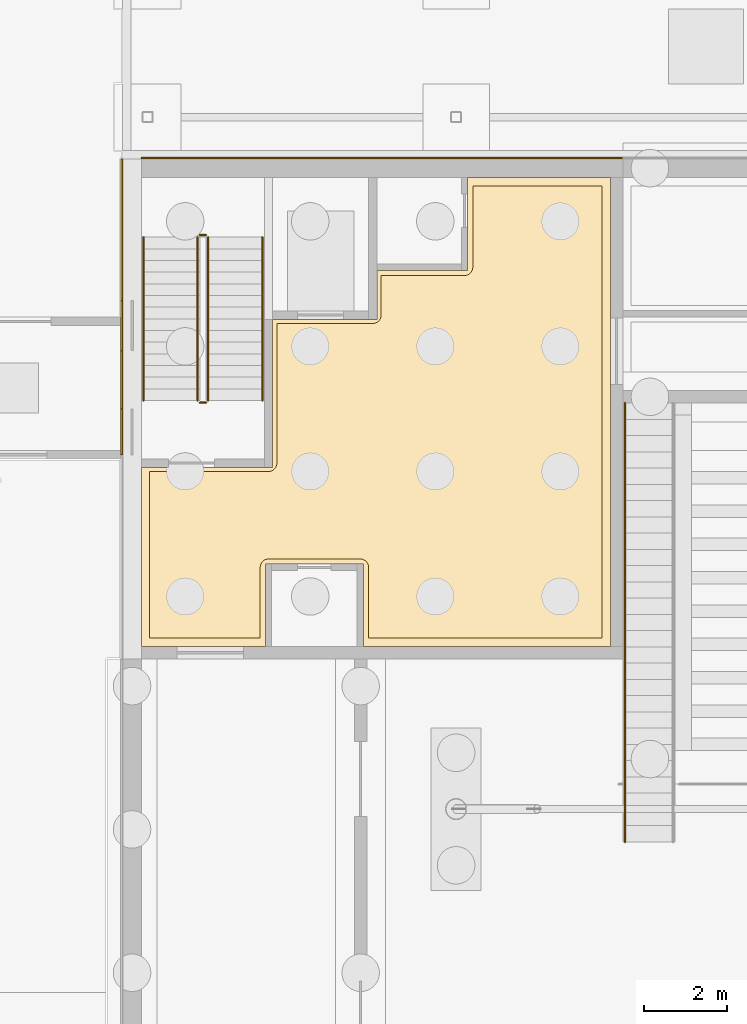
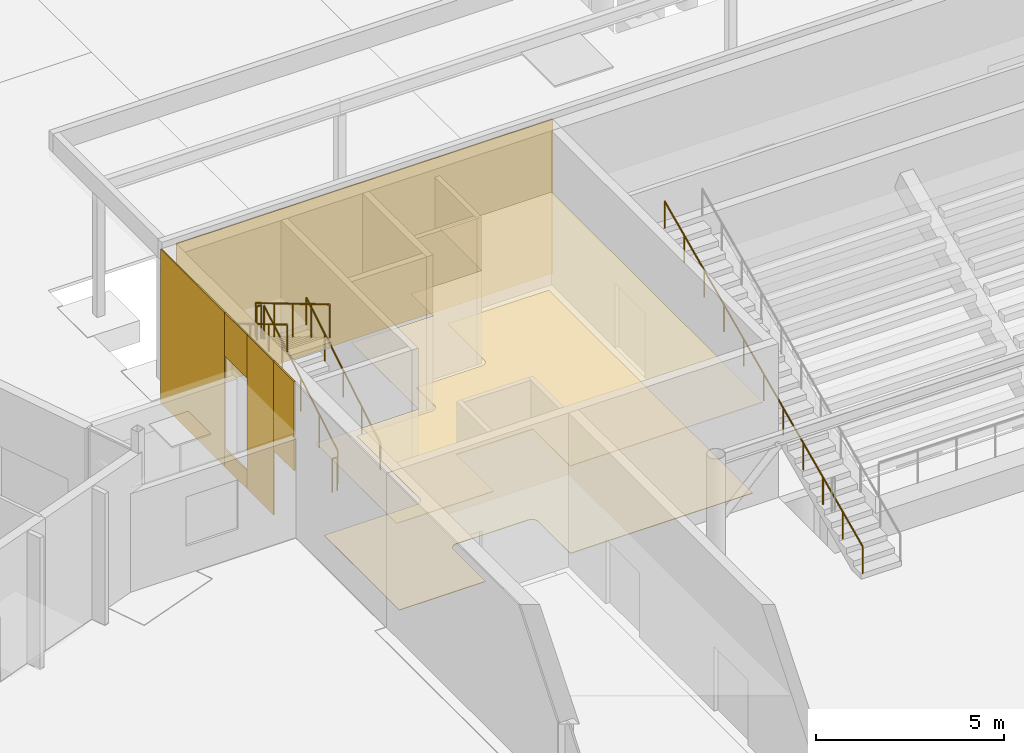
# One storey, part 136 of 157: 8 coverings, 7 railings.
"""IFC4 building model written with IfcOpenShell, lengths in metres."""

from ifc_helpers import new_model, si_unit, direction, frame, origin, origin_2d, place, context, subcontext, project, spatial, polyline, circle, outline, extrude, material, layer, layer_set, type_object, element, save


model = new_model("IFC4")

# Units and contexts
model_context = context("Model", 3, precision=1e-05, world=origin(), true_north=direction((0.0, 1.0)))
body_context = subcontext(model_context, "Body", "Model", "MODEL_VIEW")
ifc_project = project(units=[si_unit("LENGTHUNIT", "METRE"), si_unit("AREAUNIT", "SQUARE_METRE"), si_unit("VOLUMEUNIT", "CUBIC_METRE"), si_unit("PLANEANGLEUNIT", "RADIAN"), si_unit("MASSUNIT", "GRAM", prefix="KILO")], contexts=[model_context])

# Site, building, storey
site_placement = place(None, origin())
site = spatial("IfcSite", under=ifc_project, at=site_placement, CompositionType="ELEMENT")
building_placement = place(site_placement, origin())
building = spatial("IfcBuilding", under=site, at=building_placement, Name="Windward Yard Aquatics Centre", CompositionType="ELEMENT")
storey_placement = place(building_placement, origin())
storey = spatial("IfcBuildingStorey", under=building, at=storey_placement, Name="L00", CompositionType="ELEMENT", Elevation=0.0)

# Covering
ifc_material_1 = material(Name="Polished screed")
ifc_layer_1 = layer(ifc_material_1, 0.0400390625)
ifc_layer_set_1 = layer_set([ifc_layer_1], Name="H Floor Finish Screed 40")
covering_type_1 = type_object("IfcCoveringType", Name="H Floor Finish Screed 40", PredefinedType="FLOORING", material=ifc_layer_set_1)
covering_1_placement = place(storey_placement, origin())
element("IfcCovering", 1, at=covering_1_placement, inside=storey, type_object=covering_type_1, Name="Core Lobby NW floor finish", PredefinedType="FLOORING", context=body_context, shape_type="SweptSolid", body=[
    extrude(outline(polyline([(52.64990234375, 84.5), (52.64990234375, 88.5), (55.5, 88.5), (55.5390625, 88.50390625), (55.55810546875, 88.508544921875), (55.59423828125, 88.523681640625), (55.626953125, 88.54541015625), (55.654541015625, 88.572998046875), (55.676513671875, 88.605712890625), (55.69140625, 88.641845703125), (55.698974609375, 88.680419921875), (55.699951171875, 88.699951171875), (55.699951171875, 92.050048828125), (58.0, 92.050048828125), (58.0390625, 92.0537109375), (58.05810546875, 92.05859375), (58.09423828125, 92.073486328125), (58.111083984375, 92.083740234375), (58.126953125, 92.095458984375), (58.154541015625, 92.123046875), (58.176513671875, 92.15576171875), (58.184814453125, 92.173583984375), (58.19140625, 92.19189453125), (58.198974609375, 92.23046875), (58.199951171875, 93.199951171875), (60.199951171875, 93.199951171875), (60.239013671875, 93.203857421875), (60.258056640625, 93.20849609375), (60.294189453125, 93.2236328125), (60.31103515625, 93.233642578125), (60.34130859375, 93.258544921875), (60.3544921875, 93.273193359375), (60.37646484375, 93.3056640625), (60.391357421875, 93.341796875), (60.39892578125, 93.38037109375), (60.39990234375, 93.39990234375), (60.39990234375, 95.35009765625), (63.5, 95.35009765625), (63.5, 84.5), (57.89990234375, 84.5), (57.89892578125, 86.219482421875), (57.891357421875, 86.258056640625), (57.87646484375, 86.294189453125), (57.8544921875, 86.326904296875), (57.826904296875, 86.3544921875), (57.794189453125, 86.37646484375), (57.758056640625, 86.391357421875), (57.739013671875, 86.396240234375), (57.699951171875, 86.39990234375), (55.5, 86.39990234375), (55.4609375, 86.396240234375), (55.44189453125, 86.391357421875), (55.40576171875, 86.37646484375), (55.373046875, 86.3544921875), (55.345458984375, 86.326904296875), (55.323486328125, 86.294189453125), (55.30859375, 86.258056640625), (55.301025390625, 86.219482421875), (55.300048828125, 86.199951171875), (55.300048828125, 84.5), (52.64990234375, 84.5)])), origin(), (0.0, 0.0, 1.0), 0.02001953125),
])

# Railings
ifc_material_2 = material(Name="Stainless steel 1.4529", Category="steel")
railing_type_1 = type_object("IfcRailingType", Name="H Guard Steel 1100", PredefinedType="GUARDRAIL", material=ifc_material_2)
railing_1_placement = place(storey_placement, frame((54.050048828125, 90.199951171875, 0.166748046875)))
element("IfcRailing", 2, at=railing_1_placement, inside=storey, type_object=railing_type_1, Name="L00 ST3 stair guard 1", PredefinedType="GUARDRAIL", context=body_context, shape_type="SweptSolid", body=[
    extrude(circle(Radius=0.02392578125, at=origin_2d()), frame((0.0, 0.0, 1.076171875), z_axis=(0.0, 0.859310244771, 0.511454693235), x_axis=(-1.0, 0.0, 0.0)), (0.0, 0.0, 1.0), 4.56201171875),
    extrude(circle(Radius=0.02099609375, at=origin_2d()), origin(), (0.0, 0.0, 1.0), 1.052001953125),
    extrude(circle(Radius=0.02099609375, at=origin_2d()), frame((0.0, 0.97998046875, 0.583251953125)), (0.0, 0.0, 1.0), 1.052001953125),
    extrude(circle(Radius=0.02099609375, at=origin_2d()), frame((0.0, 1.9599609375, 1.16650390625)), (0.0, 0.0, 1.0), 1.052001953125),
    extrude(circle(Radius=0.02099609375, at=origin_2d()), frame((0.0, 2.940185546875, 1.75)), (0.0, 0.0, 1.0), 1.052001953125),
    extrude(circle(Radius=0.02099609375, at=origin_2d()), frame((0.0, 3.920166015625, 2.333251953125)), (0.0, 0.0, 1.0), 1.052001953125),
])
railing_2_placement = place(storey_placement, frame((54.0, 94.169921875, 2.5)))
element("IfcRailing", 3, at=railing_2_placement, inside=storey, type_object=railing_type_1, Name="L00 ST3 stair guard 2", PredefinedType="GUARDRAIL", context=body_context, shape_type="SweptSolid", body=[
    extrude(circle(Radius=0.02392578125, at=origin_2d()), frame((0.0, 0.0, 1.076171875), z_axis=(-1.0, 0.0, 0.0), x_axis=(0.0, -1.0, 0.0)), (0.0, 0.0, 1.0), 0.14990234375),
    extrude(circle(Radius=0.02099609375, at=origin_2d()), origin(), (0.0, 0.0, 1.0), 1.052001953125),
    extrude(circle(Radius=0.02099609375, at=origin_2d()), frame((-0.14990234375, 0.0, 0.0)), (0.0, 0.0, 1.0), 1.052001953125),
])
railing_3_placement = place(storey_placement, frame((53.800048828125, 94.1201171875, 2.666748046875)))
element("IfcRailing", 4, at=railing_3_placement, inside=storey, type_object=railing_type_1, Name="L00 ST3 stair guard 3", PredefinedType="GUARDRAIL", context=body_context, shape_type="SweptSolid", body=[
    extrude(circle(Radius=0.02392578125, at=origin_2d()), frame((0.0, 0.0, 1.076171875), z_axis=(0.0, -0.859310244771, 0.511454693235), x_axis=(1.0, 0.0, 0.0)), (0.0, 0.0, 1.0), 4.56201171875),
    extrude(circle(Radius=0.02099609375, at=origin_2d()), origin(), (0.0, 0.0, 1.0), 1.052001953125),
    extrude(circle(Radius=0.02099609375, at=origin_2d()), frame((0.0, -0.97998046875, 0.583251953125)), (0.0, 0.0, 1.0), 1.052001953125),
    extrude(circle(Radius=0.02099609375, at=origin_2d()), frame((0.0, -1.9599609375, 1.16650390625)), (0.0, 0.0, 1.0), 1.052001953125),
    extrude(circle(Radius=0.02099609375, at=origin_2d()), frame((0.0, -2.940185546875, 1.75)), (0.0, 0.0, 1.0), 1.052001953125),
    extrude(circle(Radius=0.02099609375, at=origin_2d()), frame((0.0, -3.920166015625, 2.333251953125)), (0.0, 0.0, 1.0), 1.052001953125),
])
railing_4_placement = place(storey_placement, frame((54.0, 90.14990234375, 0.0)))
element("IfcRailing", 5, at=railing_4_placement, inside=storey, type_object=railing_type_1, Name="L00 ST3 stair guard 4", PredefinedType="GUARDRAIL", context=body_context, shape_type="SweptSolid", body=[
    extrude(circle(Radius=0.02392578125, at=origin_2d()), frame((0.0, 0.0, 1.076171875), z_axis=(-1.0, 0.0, 0.0), x_axis=(0.0, -1.0, 0.0)), (0.0, 0.0, 1.0), 0.14990234375),
    extrude(circle(Radius=0.02099609375, at=origin_2d()), origin(), (0.0, 0.0, 1.0), 1.052001953125),
    extrude(circle(Radius=0.02099609375, at=origin_2d()), frame((-0.14990234375, 0.0, 0.0)), (0.0, 0.0, 1.0), 1.052001953125),
])
railing_type_2 = type_object("IfcRailingType", Name="H Handrail Steel 900", PredefinedType="HANDRAIL", material=ifc_material_2)
railing_5_placement = place(storey_placement, frame((55.35009765625, 90.199951171875, 0.166748046875)))
element("IfcRailing", 6, at=railing_5_placement, inside=storey, type_object=railing_type_2, Name="L00 ST3 stair handrail 1", PredefinedType="HANDRAIL", context=body_context, shape_type="SweptSolid", body=[
    extrude(circle(Radius=0.02392578125, at=origin_2d()), frame((0.0, 0.0, 0.8759765625), z_axis=(0.0, 0.859310244771, 0.511454693235), x_axis=(-1.0, 0.0, 0.0)), (0.0, 0.0, 1.0), 4.56201171875),
    extrude(circle(Radius=0.02099609375, at=origin_2d()), origin(), (0.0, 0.0, 1.0), 0.851806640625),
    extrude(circle(Radius=0.02099609375, at=origin_2d()), frame((0.0, 0.97998046875, 0.583251953125)), (0.0, 0.0, 1.0), 0.851806640625),
    extrude(circle(Radius=0.02099609375, at=origin_2d()), frame((0.0, 1.9599609375, 1.16650390625)), (0.0, 0.0, 1.0), 0.851806640625),
    extrude(circle(Radius=0.02099609375, at=origin_2d()), frame((0.0, 2.940185546875, 1.75)), (0.0, 0.0, 1.0), 0.851806640625),
    extrude(circle(Radius=0.02099609375, at=origin_2d()), frame((0.0, 3.920166015625, 2.333251953125)), (0.0, 0.0, 1.0), 0.851806640625),
])
railing_6_placement = place(storey_placement, frame((52.5, 94.1201171875, 2.666748046875)))
element("IfcRailing", 7, at=railing_6_placement, inside=storey, type_object=railing_type_2, Name="L00 ST3 stair handrail 2", PredefinedType="HANDRAIL", context=body_context, shape_type="SweptSolid", body=[
    extrude(circle(Radius=0.02392578125, at=origin_2d()), frame((0.0, 0.0, 0.8759765625), z_axis=(0.0, -0.859310244771, 0.511454693235), x_axis=(1.0, 0.0, 0.0)), (0.0, 0.0, 1.0), 4.56201171875),
    extrude(circle(Radius=0.02099609375, at=origin_2d()), origin(), (0.0, 0.0, 1.0), 0.851806640625),
    extrude(circle(Radius=0.02099609375, at=origin_2d()), frame((0.0, -0.97998046875, 0.583251953125)), (0.0, 0.0, 1.0), 0.851806640625),
    extrude(circle(Radius=0.02099609375, at=origin_2d()), frame((0.0, -1.9599609375, 1.16650390625)), (0.0, 0.0, 1.0), 0.851806640625),
    extrude(circle(Radius=0.02099609375, at=origin_2d()), frame((0.0, -2.940185546875, 1.75)), (0.0, 0.0, 1.0), 0.851806640625),
    extrude(circle(Radius=0.02099609375, at=origin_2d()), frame((0.0, -3.920166015625, 2.333251953125)), (0.0, 0.0, 1.0), 0.851806640625),
])
railing_7_placement = place(storey_placement, frame((64.050048828125, 79.6103515625, 0.1787109375)))
element("IfcRailing", 8, at=railing_7_placement, inside=storey, type_object=railing_type_2, Name="Vomitory stair N1 handrail 1", PredefinedType="HANDRAIL", context=body_context, shape_type="SweptSolid", body=[
    extrude(circle(Radius=0.02392578125, at=origin_2d()), frame((0.0, 0.0, 0.8759765625), z_axis=(0.0, 0.909227440193, 0.416299726158), x_axis=(-1.0, 0.0, 0.0)), (0.0, 0.0, 1.0), 11.581298828125),
    extrude(circle(Radius=0.02099609375, at=origin_2d()), origin(), (0.0, 0.0, 1.0), 0.851806640625),
    extrude(circle(Radius=0.02099609375, at=origin_2d()), frame((0.0, 1.052978515625, 0.482177734375)), (0.0, 0.0, 1.0), 0.851806640625),
    extrude(circle(Radius=0.02099609375, at=origin_2d()), frame((0.0, 2.10595703125, 0.96435546875)), (0.0, 0.0, 1.0), 0.851806640625),
    extrude(circle(Radius=0.02099609375, at=origin_2d()), frame((0.0, 3.158935546875, 1.4462890625)), (0.0, 0.0, 1.0), 0.851806640625),
    extrude(circle(Radius=0.02099609375, at=origin_2d()), frame((0.0, 4.2119140625, 1.928466796875)), (0.0, 0.0, 1.0), 0.851806640625),
    extrude(circle(Radius=0.02099609375, at=origin_2d()), frame((0.0, 5.26513671875, 2.41064453125)), (0.0, 0.0, 1.0), 0.851806640625),
    extrude(circle(Radius=0.02099609375, at=origin_2d()), frame((0.0, 6.318115234375, 2.892822265625)), (0.0, 0.0, 1.0), 0.851806640625),
    extrude(circle(Radius=0.02099609375, at=origin_2d()), frame((0.0, 7.37109375, 3.375)), (0.0, 0.0, 1.0), 0.851806640625),
    extrude(circle(Radius=0.02099609375, at=origin_2d()), frame((0.0, 8.424072265625, 3.85693359375)), (0.0, 0.0, 1.0), 0.851806640625),
    extrude(circle(Radius=0.02099609375, at=origin_2d()), frame((0.0, 9.47705078125, 4.339111328125)), (0.0, 0.0, 1.0), 0.851806640625),
    extrude(circle(Radius=0.02099609375, at=origin_2d()), frame((0.0, 10.530029296875, 4.8212890625)), (0.0, 0.0, 1.0), 0.851806640625),
])

# Coverings
ifc_material_3 = material(Name="Mineral fibre tile")
ifc_layer_2 = layer(ifc_material_3, 0.02001953125)
ifc_layer_set_2 = layer_set([ifc_layer_2], Name="H Suspended Ceiling 600 x 600")
covering_type_2 = type_object("IfcCoveringType", Name="H Suspended Ceiling 600 x 600", PredefinedType="CEILING", material=ifc_layer_set_2)
covering_2_placement = place(storey_placement, frame((0.0, 0.0, 3.0)))
element("IfcCovering", 9, at=covering_2_placement, inside=storey, type_object=covering_type_2, Name="Core Lobby NW ceiling", PredefinedType="CEILING", context=body_context, shape_type="SweptSolid", body=[
    extrude(outline(polyline([(52.450439453125, 84.300537109375), (52.450439453125, 88.599609375), (55.6005859375, 88.60009765625), (55.6005859375, 92.1494140625), (58.1005859375, 92.14990234375), (58.1005859375, 93.324462890625), (60.275390625, 93.324951171875), (60.275390625, 95.549560546875), (63.699462890625, 95.549560546875), (63.699462890625, 84.300537109375), (57.775390625, 84.300537109375), (57.775390625, 86.27490234375), (57.625, 86.275390625), (55.424560546875, 86.27490234375), (55.424560546875, 84.300537109375), (52.450439453125, 84.300537109375)])), origin(), (0.0, 0.0, 1.0), 0.02001953125),
])
ifc_material_4 = material(Name="Natural limestone cladding", Category="masonry")
ifc_layer_3 = layer(ifc_material_4, 0.0400390625)
ifc_layer_set_3 = layer_set([ifc_layer_3], Name="H natural stone cladding 40")
covering_type_3 = type_object("IfcCoveringType", Name="H natural stone cladding 40", PredefinedType="CLADDING", material=ifc_layer_set_3)
covering_3_placement = place(storey_placement, origin())
element("IfcCovering", 10, at=covering_3_placement, inside=storey, type_object=covering_type_3, Name="Stone cladding panel 62", PredefinedType="CLADDING", context=body_context, shape_type="SweptSolid", body=[
    extrude(outline(polyline([(52.449951171875, 96.0), (64.0, 96.0), (64.0, 96.0400390625), (52.449951171875, 96.0400390625), (52.449951171875, 96.0)])), origin(), (0.0, 0.0, 1.0), 5.0),
])
covering_4_placement = place(storey_placement, origin())
element("IfcCovering", 11, at=covering_4_placement, inside=storey, type_object=covering_type_3, Name="Stone cladding panel 66", PredefinedType="CLADDING", context=body_context, shape_type="SweptSolid", body=[
    extrude(outline(polyline([(51.9599609375, 92.60009765625), (51.9599609375, 96.0), (52.0, 96.0), (52.0, 92.60009765625), (51.9599609375, 92.60009765625)])), origin(), (0.0, 0.0, 1.0), 5.0),
])
covering_5_placement = place(storey_placement, origin())
element("IfcCovering", 12, at=covering_5_placement, inside=storey, type_object=covering_type_3, Name="Stone cladding panel 67", PredefinedType="CLADDING", context=body_context, shape_type="SweptSolid", body=[
    extrude(outline(polyline([(51.9599609375, 91.39990234375), (51.9599609375, 92.60009765625), (52.0, 92.60009765625), (52.0, 91.39990234375), (51.9599609375, 91.39990234375)])), origin(), (0.0, 0.0, 1.0), 0.60009765625),
])
covering_6_placement = place(storey_placement, frame((0.0, 0.0, 3.60009765625)))
element("IfcCovering", 13, at=covering_6_placement, inside=storey, type_object=covering_type_3, Name="Stone cladding panel 68", PredefinedType="CLADDING", context=body_context, shape_type="SweptSolid", body=[
    extrude(outline(polyline([(51.9599609375, 91.39990234375), (51.9599609375, 92.60009765625), (52.0, 92.60009765625), (52.0, 91.39990234375), (51.9599609375, 91.39990234375)])), origin(), (0.0, 0.0, 1.0), 1.39990234375),
])
covering_7_placement = place(storey_placement, origin())
element("IfcCovering", 14, at=covering_7_placement, inside=storey, type_object=covering_type_3, Name="Stone cladding panel 69", PredefinedType="CLADDING", context=body_context, shape_type="SweptSolid", body=[
    extrude(outline(polyline([(51.9599609375, 90.0), (51.9599609375, 91.39990234375), (52.0, 91.39990234375), (52.0, 90.0), (51.9599609375, 90.0)])), origin(), (0.0, 0.0, 1.0), 5.0),
])
covering_8_placement = place(storey_placement, frame((0.0, 0.0, 2.10009765625)))
element("IfcCovering", 15, at=covering_8_placement, inside=storey, type_object=covering_type_3, Name="Stone cladding panel 70", PredefinedType="CLADDING", context=body_context, shape_type="SweptSolid", body=[
    extrude(outline(polyline([(51.9599609375, 88.89990234375), (51.9599609375, 90.0), (52.0, 90.0), (52.0, 88.89990234375), (51.9599609375, 88.89990234375)])), origin(), (0.0, 0.0, 1.0), 2.89990234375),
])

save(model, "model.ifc")
